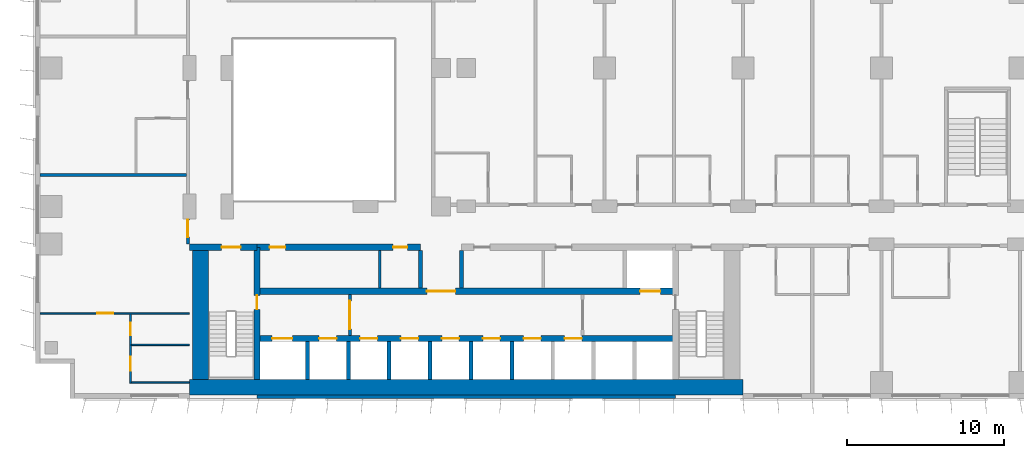
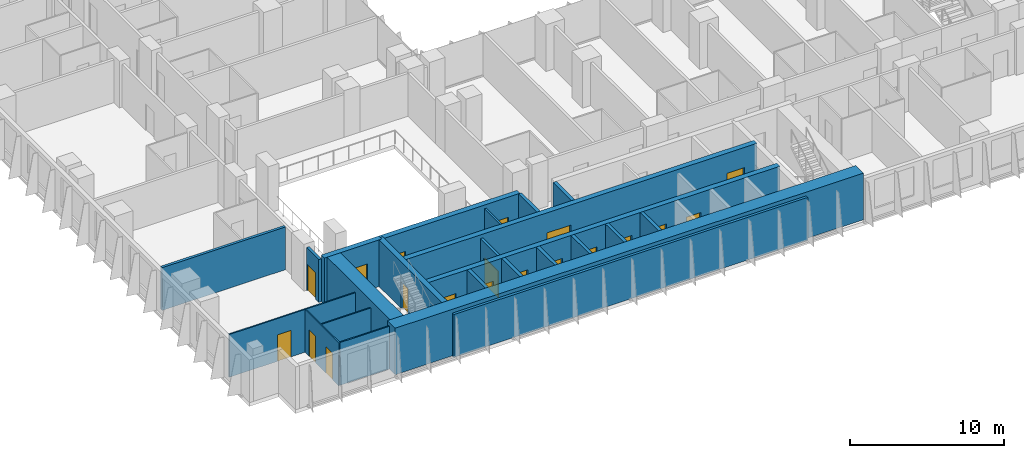
# One storey, part 12 of 24: 24 walls, 19 doors, 19 openings.
"""IFC4 building model written with IfcOpenShell, lengths in metres."""

from ifc_helpers import new_model, si_unit, direction, frame, frame_2d, origin, place, context, subcontext, project, spatial, rectangle, extrude, material, layer, layer_set, type_object, element, fill, save


model = new_model("IFC4")

# Units and contexts
model_context = context("Model", 3, precision=1e-05, world=origin(), true_north=direction((0.0, 1.0)))
body_context = subcontext(model_context, "Body", "Model", "MODEL_VIEW")
ifc_project = project(units=[si_unit("LENGTHUNIT", "METRE"), si_unit("AREAUNIT", "SQUARE_METRE"), si_unit("VOLUMEUNIT", "CUBIC_METRE"), si_unit("PLANEANGLEUNIT", "RADIAN"), si_unit("MASSUNIT", "GRAM", prefix="KILO")], contexts=[model_context])

# Site, building, storey
site_placement = place(None, origin())
site = spatial("IfcSite", under=ifc_project, at=site_placement, CompositionType="ELEMENT")
building_placement = place(site_placement, origin())
building = spatial("IfcBuilding", under=site, at=building_placement, Name="Kemantara Hotel Tower", CompositionType="ELEMENT")
storey_placement = place(building_placement, frame((0.0, 0.0, 37.699951171875)))
storey = spatial("IfcBuildingStorey", under=building, at=storey_placement, Name="L07", CompositionType="ELEMENT", Elevation=37.699951171875)

# Walls
ifc_material_1 = material(Name="Bronze anodised aluminium cladding on insulated steel stud wall", Category="steel")
ifc_layer_1 = layer(ifc_material_1, 0.199951171875)
ifc_layer_set_1 = layer_set([ifc_layer_1], Name="Bronze anodised aluminium cladding on insulated steel stud wall")
wall_type_1 = type_object("IfcWallType", Name="BRONZE METAL-CLAD EXTERNAL WALL 200", PredefinedType="STANDARD", material=ifc_layer_set_1)
wall_1_placement = place(storey_placement, frame((14.10009765625, 0.10009765625, 0.0), z_axis=(0.0, 0.0, 1.0), x_axis=(1.0, 0.0, 0.0)))
element("IfcWall", 1, at=wall_1_placement, inside=storey, type_object=wall_type_1, Name="EXTERNAL WALL L07 T1-R01-2", PredefinedType="STANDARD", context=body_context, shape_type="SweptSolid", body=[
    extrude(rectangle(XDim=26.599853515625, YDim=0.199951171875, at=frame_2d((13.2998046875, 0.0))), origin(), (0.0, 0.0, 1.0), 3.400146484375),
])
ifc_material_2 = material(Name="Concrete fc 70 MPa", Category="concrete")
ifc_layer_2 = layer(ifc_material_2, 1.0)
ifc_layer_set_2 = layer_set([ifc_layer_2], Name="Concrete fc 70 MPa")
wall_type_2 = type_object("IfcWallType", Name="CORE WALL 1000 FC70", PredefinedType="SHEAR", material=ifc_layer_set_2)
wall_2_placement = place(storey_placement, frame((9.800048828125, 0.699951171875, 0.0), z_axis=(0.0, 0.0, 1.0), x_axis=(1.0, 0.0, 0.0)))
element("IfcWall", 2, at=wall_2_placement, inside=storey, type_object=wall_type_2, Name="CORE WALL CW-S", PredefinedType="SHEAR", context=body_context, shape_type="SweptSolid", body=[
    extrude(rectangle(XDim=35.199951171875, YDim=1.0, at=frame_2d((17.60009765625, 0.0))), origin(), (0.0, 0.0, 1.0), 3.699951171875),
])
wall_3_placement = place(storey_placement, frame((10.5, 1.199951171875, 0.0), z_axis=(0.0, 0.0, 1.0), x_axis=(0.0, 1.0, 0.0)))
element("IfcWall", 3, at=wall_3_placement, inside=storey, type_object=wall_type_2, Name="CORE WALL CW-W", PredefinedType="SHEAR", context=body_context, shape_type="SweptSolid", body=[
    extrude(rectangle(XDim=8.60009765625, YDim=1.0, at=frame_2d((4.300048828125, 0.0))), origin(), (0.0, 0.0, 1.0), 3.699951171875),
])
ifc_layer_3 = layer(ifc_material_2, 0.25)
ifc_layer_set_3 = layer_set([ifc_layer_3], Name="Concrete fc 70 MPa")
wall_type_3 = type_object("IfcWallType", Name="CORE WALL 250 FC70", PredefinedType="SHEAR", material=ifc_layer_set_3)
for number, where, z_axis, x_axis, name in (
    (4, (17.300048828125, 1.199951171875, 0.0), (0.0, 0.0, 1.0), (0.0, 1.0, 0.0), "CORE WALL CW-DS17.3"),
    (5, (19.89990234375, 1.199951171875, 0.0), (0.0, 0.0, 1.0), (0.0, 1.0, 0.0), "CORE WALL CW-DS19.9"),
    (6, (22.5, 1.199951171875, 0.0), (0.0, 0.0, 1.0), (0.0, 1.0, 0.0), "CORE WALL CW-DS22.5"),
    (7, (25.10009765625, 1.199951171875, 0.0), (0.0, 0.0, 1.0), (0.0, 1.0, 0.0), "CORE WALL CW-DS25.1"),
    (8, (27.699951171875, 1.199951171875, 0.0), (0.0, 0.0, 1.0), (0.0, 1.0, 0.0), "CORE WALL CW-DS27.7"),
    (9, (30.300048828125, 1.199951171875, 0.0), (0.0, 0.0, 1.0), (0.0, 1.0, 0.0), "CORE WALL CW-DS30.3"),
):
    element("IfcWall", number, at=place(storey_placement, frame(where, z_axis=z_axis, x_axis=x_axis)), inside=storey, type_object=wall_type_3, Name=name, PredefinedType="SHEAR", context=body_context, shape_type="SweptSolid", body=[
        extrude(rectangle(XDim=2.400146484375, YDim=0.25, at=frame_2d((1.2001953125, 0.0))), origin(), (0.0, 0.0, 1.0), 3.699951171875),
    ])
for number, where, z_axis, x_axis, name in (
    (10, (24.5, 7.0, 0.0), (0.0, 0.0, 1.0), (0.0, 1.0, 0.0), "CORE WALL CW-DN24.5"),
    (11, (27.10009765625, 7.0, 0.0), (0.0, 0.0, 1.0), (0.0, 1.0, 0.0), "CORE WALL CW-DN27.1"),
):
    element("IfcWall", number, at=place(storey_placement, frame(where, z_axis=z_axis, x_axis=x_axis)), inside=storey, type_object=wall_type_3, Name=name, PredefinedType="SHEAR", context=body_context, shape_type="SweptSolid", body=[
        extrude(rectangle(XDim=2.39990234375, YDim=0.25, at=frame_2d((1.199951171875, 0.0))), origin(), (0.0, 0.0, 1.0), 3.699951171875),
    ])

# Wall, opening, door
ifc_layer_4 = layer(ifc_material_2, 0.39990234375)
ifc_layer_set_4 = layer_set([ifc_layer_4], Name="Concrete fc 70 MPa")
wall_type_4 = type_object("IfcWallType", Name="CORE WALL 400 FC70", PredefinedType="SHEAR", material=ifc_layer_set_4)
wall_4_placement = place(storey_placement, frame((9.800048828125, 9.60009765625, 0.0), z_axis=(0.0, 0.0, 1.0), x_axis=(1.0, 0.0, 0.0)))
wall_4 = element("IfcWall", 12, at=wall_4_placement, inside=storey, type_object=wall_type_4, Name="CORE WALL CW-N1", PredefinedType="SHEAR", context=body_context, shape_type="SweptSolid", body=[
    extrude(rectangle(XDim=4.300048828125, YDim=0.39990234375, at=frame_2d((2.14990234375, 0.0))), origin(), (0.0, 0.0, 1.0), 3.699951171875),
])
opening_1_placement = place(wall_4_placement, frame((2.050048828125, 0.0, 0.0)))
opening_1 = element("IfcOpeningElement", 13, at=opening_1_placement, cuts=wall_4, Name="Opening C08-ST1-C", PredefinedType="OPENING", context=body_context, shape_type="SweptSolid", body=[
    extrude(rectangle(XDim=1.199951171875, YDim=2.10009765625, at=frame_2d((0.60009765625, 1.050048828125))), frame((0.0, 0.2099609375, 0.0), z_axis=(0.0, -1.0, 0.0), x_axis=(1.0, 0.0, 0.0)), (0.0, 0.0, 1.0), 0.419921875),
])
ifc_material_3 = material(Name="Steel fire door", Category="steel")
door_type_1 = type_object("IfcDoorType", Name="Fire door FD90 1200 x 2100", OperationType="NOTDEFINED", PredefinedType="DOOR", material=ifc_material_3)
door_1_placement = place(opening_1_placement, frame((1.199951171875, 0.0, 0.0), z_axis=(0.0, 0.0, 1.0), x_axis=(-1.0, 0.0, 0.0)))
door_1 = element("IfcDoor", 14, at=door_1_placement, inside=storey, type_object=door_type_1, Name="Stair ST1 door to corridor", OperationType="SINGLE_SWING_LEFT", OverallHeight=2.10009765625, OverallWidth=1.199951171875, PredefinedType="DOOR", context=body_context, shape_type="SweptSolid", body=[
    extrude(rectangle(XDim=1.199951171875, YDim=2.10009765625, at=frame_2d((0.60009765625, 1.050048828125))), frame((0.0, 0.02490234375, 0.0), z_axis=(0.0, -1.0, 0.0), x_axis=(1.0, 0.0, 0.0)), (0.0, 0.0, 1.0), 0.050048828125),
])
fill(opening_1, door_1)

# Wall, openings, doors
wall_5_placement = place(storey_placement, frame((14.10009765625, 9.60009765625, 0.0), z_axis=(0.0, 0.0, 1.0), x_axis=(1.0, 0.0, 0.0)))
wall_5 = element("IfcWall", 15, at=wall_5_placement, inside=storey, type_object=wall_type_4, Name="CORE WALL CW-NN1", PredefinedType="SHEAR", context=body_context, shape_type="SweptSolid", body=[
    extrude(rectangle(XDim=10.39990234375, YDim=0.39990234375, at=frame_2d((5.199951171875, 0.0))), origin(), (0.0, 0.0, 1.0), 3.699951171875),
])
opening_2_placement = place(wall_5_placement, frame((0.800048828125, 0.0, 0.0)))
opening_2 = element("IfcOpeningElement", 16, at=opening_2_placement, cuts=wall_5, Name="Opening C08-R-NW1", PredefinedType="OPENING", context=body_context, shape_type="SweptSolid", body=[
    extrude(rectangle(XDim=1.0, YDim=2.10009765625, at=frame_2d((0.5, 1.050048828125))), frame((0.0, 0.2099609375, 0.0), z_axis=(0.0, -1.0, 0.0), x_axis=(1.0, 0.0, 0.0)), (0.0, 0.0, 1.0), 0.419921875),
])
opening_3_placement = place(wall_5_placement, frame((8.64990234375, 0.0, 0.0)))
opening_3 = element("IfcOpeningElement", 17, at=opening_3_placement, cuts=wall_5, Name="Opening C08-R-NW2", PredefinedType="OPENING", context=body_context, shape_type="SweptSolid", body=[
    extrude(rectangle(XDim=0.89990234375, YDim=2.10009765625, at=frame_2d((0.449951171875, 1.050048828125))), frame((0.0, 0.2099609375, 0.0), z_axis=(0.0, -1.0, 0.0), x_axis=(1.0, 0.0, 0.0)), (0.0, 0.0, 1.0), 0.419921875),
])
door_type_2 = type_object("IfcDoorType", Name="Fire door FD30S 1000 x 2100", OperationType="NOTDEFINED", PredefinedType="DOOR", material=ifc_material_3)
door_2_placement = place(opening_2_placement, frame((1.0, 0.0, 0.0), z_axis=(0.0, 0.0, 1.0), x_axis=(-1.0, 0.0, 0.0)))
door_2 = element("IfcDoor", 18, at=door_2_placement, inside=storey, type_object=door_type_2, Name="Linen Store door", OperationType="SINGLE_SWING_RIGHT", OverallHeight=2.10009765625, OverallWidth=1.0, PredefinedType="DOOR", context=body_context, shape_type="SweptSolid", body=[
    extrude(rectangle(XDim=1.0, YDim=2.10009765625, at=frame_2d((0.5, 1.050048828125))), frame((0.0, 0.02490234375, 0.0), z_axis=(0.0, -1.0, 0.0), x_axis=(1.0, 0.0, 0.0)), (0.0, 0.0, 1.0), 0.050048828125),
])
fill(opening_2, door_2)
door_type_3 = type_object("IfcDoorType", Name="Fire door FD60 900 x 2100", OperationType="NOTDEFINED", PredefinedType="DOOR", material=ifc_material_3)
door_3_placement = place(opening_3_placement, frame((0.89990234375, 0.0, 0.0), z_axis=(0.0, 0.0, 1.0), x_axis=(-1.0, 0.0, 0.0)))
door_3 = element("IfcDoor", 19, at=door_3_placement, inside=storey, type_object=door_type_3, Name="It Equipment Room door", OperationType="SINGLE_SWING_LEFT", OverallHeight=2.10009765625, OverallWidth=0.89990234375, PredefinedType="DOOR", context=body_context, shape_type="SweptSolid", body=[
    extrude(rectangle(XDim=0.89990234375, YDim=2.10009765625, at=frame_2d((0.449951171875, 1.050048828125))), frame((0.0, 0.02490234375, 0.0), z_axis=(0.0, -1.0, 0.0), x_axis=(1.0, 0.0, 0.0)), (0.0, 0.0, 1.0), 0.050048828125),
])
fill(opening_3, door_3)

wall_6_placement = place(storey_placement, frame((14.10009765625, 3.800048828125, 0.0), z_axis=(0.0, 0.0, 1.0), x_axis=(1.0, 0.0, 0.0)))
wall_6 = element("IfcWall", 20, at=wall_6_placement, inside=storey, type_object=wall_type_4, Name="CORE WALL CW-L1", PredefinedType="SHEAR", context=body_context, shape_type="SweptSolid", body=[
    extrude(rectangle(XDim=26.599853515625, YDim=0.39990234375, at=frame_2d((13.2998046875, 0.0))), origin(), (0.0, 0.0, 1.0), 3.699951171875),
])
opening_4_placement = place(wall_6_placement, frame((0.949951171875, 0.0, 0.0)))
opening_4 = element("IfcOpeningElement", 21, at=opening_4_placement, cuts=wall_6, Name="Opening C08-LD-FF1", PredefinedType="OPENING", context=body_context, shape_type="SweptSolid", body=[
    extrude(rectangle(XDim=1.300048828125, YDim=2.10009765625, at=frame_2d((0.64990234375, 1.050048828125))), frame((0.0, 0.2099609375, 0.0), z_axis=(0.0, -1.0, 0.0), x_axis=(1.0, 0.0, 0.0)), (0.0, 0.0, 1.0), 0.419921875),
])
opening_5_placement = place(wall_6_placement, frame((3.949951171875, 0.0, 0.0)))
opening_5 = element("IfcOpeningElement", 22, at=opening_5_placement, cuts=wall_6, Name="Opening C08-LD-SV1", PredefinedType="OPENING", context=body_context, shape_type="SweptSolid", body=[
    extrude(rectangle(XDim=1.10009765625, YDim=2.10009765625, at=frame_2d((0.550048828125, 1.050048828125))), frame((0.0, 0.2099609375, 0.0), z_axis=(0.0, -1.0, 0.0), x_axis=(1.0, 0.0, 0.0)), (0.0, 0.0, 1.0), 0.419921875),
])
opening_6_placement = place(wall_6_placement, frame((6.550048828125, 0.0, 0.0)))
opening_6 = element("IfcOpeningElement", 23, at=opening_6_placement, cuts=wall_6, Name="Opening C08-LD-SV2", PredefinedType="OPENING", context=body_context, shape_type="SweptSolid", body=[
    extrude(rectangle(XDim=1.10009765625, YDim=2.10009765625, at=frame_2d((0.550048828125, 1.050048828125))), frame((0.0, 0.2099609375, 0.0), z_axis=(0.0, -1.0, 0.0), x_axis=(1.0, 0.0, 0.0)), (0.0, 0.0, 1.0), 0.419921875),
])
opening_7_placement = place(wall_6_placement, frame((9.14990234375, 0.0, 0.0)))
opening_7 = element("IfcOpeningElement", 24, at=opening_7_placement, cuts=wall_6, Name="Opening C08-LD-SV3", PredefinedType="OPENING", context=body_context, shape_type="SweptSolid", body=[
    extrude(rectangle(XDim=1.10009765625, YDim=2.10009765625, at=frame_2d((0.550048828125, 1.050048828125))), frame((0.0, 0.2099609375, 0.0), z_axis=(0.0, -1.0, 0.0), x_axis=(1.0, 0.0, 0.0)), (0.0, 0.0, 1.0), 0.419921875),
])
opening_8_placement = place(wall_6_placement, frame((11.75, 0.0, 0.0)))
opening_8 = element("IfcOpeningElement", 25, at=opening_8_placement, cuts=wall_6, Name="Opening C08-LD-LR1", PredefinedType="OPENING", context=body_context, shape_type="SweptSolid", body=[
    extrude(rectangle(XDim=1.10009765625, YDim=2.10009765625, at=frame_2d((0.550048828125, 1.050048828125))), frame((0.0, 0.2099609375, 0.0), z_axis=(0.0, -1.0, 0.0), x_axis=(1.0, 0.0, 0.0)), (0.0, 0.0, 1.0), 0.419921875),
])
opening_9_placement = place(wall_6_placement, frame((14.35009765625, 0.0, 0.0)))
opening_9 = element("IfcOpeningElement", 26, at=opening_9_placement, cuts=wall_6, Name="Opening C08-LD-LR2", PredefinedType="OPENING", context=body_context, shape_type="SweptSolid", body=[
    extrude(rectangle(XDim=1.10009765625, YDim=2.10009765625, at=frame_2d((0.550048828125, 1.050048828125))), frame((0.0, 0.2099609375, 0.0), z_axis=(0.0, -1.0, 0.0), x_axis=(1.0, 0.0, 0.0)), (0.0, 0.0, 1.0), 0.419921875),
])
opening_10_placement = place(wall_6_placement, frame((16.949951171875, 0.0, 0.0)))
opening_10 = element("IfcOpeningElement", 27, at=opening_10_placement, cuts=wall_6, Name="Opening C08-LD-LR3", PredefinedType="OPENING", context=body_context, shape_type="SweptSolid", body=[
    extrude(rectangle(XDim=1.10009765625, YDim=2.10009765625, at=frame_2d((0.550048828125, 1.050048828125))), frame((0.0, 0.2099609375, 0.0), z_axis=(0.0, -1.0, 0.0), x_axis=(1.0, 0.0, 0.0)), (0.0, 0.0, 1.0), 0.419921875),
])
opening_11_placement = place(wall_6_placement, frame((19.550048828125, 0.0, 0.0)))
opening_11 = element("IfcOpeningElement", 28, at=opening_11_placement, cuts=wall_6, Name="Opening C08-LD-LR4", PredefinedType="OPENING", context=body_context, shape_type="SweptSolid", body=[
    extrude(rectangle(XDim=1.10009765625, YDim=2.10009765625, at=frame_2d((0.550048828125, 1.050048828125))), frame((0.0, 0.2099609375, 0.0), z_axis=(0.0, -1.0, 0.0), x_axis=(1.0, 0.0, 0.0)), (0.0, 0.0, 1.0), 0.419921875),
])
ifc_material_4 = material(Name="Stainless steel lift door", Category="steel")
door_type_4 = type_object("IfcDoorType", Name="Lift landing door 1100 x 2100 FD60", OperationType="DOUBLE_DOOR_SLIDING", PredefinedType="DOOR", material=ifc_material_4)
door_4_placement = place(opening_5_placement, origin())
door_4 = element("IfcDoor", 29, at=door_4_placement, inside=storey, type_object=door_type_4, Name="Lift SV1 landing door", OperationType="DOUBLE_DOOR_SLIDING", OverallHeight=2.10009765625, OverallWidth=1.10009765625, PredefinedType="DOOR", context=body_context, shape_type="SweptSolid", body=[
    extrude(rectangle(XDim=1.10009765625, YDim=2.10009765625, at=frame_2d((0.550048828125, 1.050048828125))), frame((0.0, 0.02490234375, 0.0), z_axis=(0.0, -1.0, 0.0), x_axis=(1.0, 0.0, 0.0)), (0.0, 0.0, 1.0), 0.050048828125),
])
fill(opening_5, door_4)
door_5_placement = place(opening_6_placement, origin())
door_5 = element("IfcDoor", 30, at=door_5_placement, inside=storey, type_object=door_type_4, Name="Lift SV2 landing door", OperationType="DOUBLE_DOOR_SLIDING", OverallHeight=2.10009765625, OverallWidth=1.10009765625, PredefinedType="DOOR", context=body_context, shape_type="SweptSolid", body=[
    extrude(rectangle(XDim=1.10009765625, YDim=2.10009765625, at=frame_2d((0.550048828125, 1.050048828125))), frame((0.0, 0.02490234375, 0.0), z_axis=(0.0, -1.0, 0.0), x_axis=(1.0, 0.0, 0.0)), (0.0, 0.0, 1.0), 0.050048828125),
])
fill(opening_6, door_5)
door_6_placement = place(opening_7_placement, origin())
door_6 = element("IfcDoor", 31, at=door_6_placement, inside=storey, type_object=door_type_4, Name="Lift SV3 landing door", OperationType="DOUBLE_DOOR_SLIDING", OverallHeight=2.10009765625, OverallWidth=1.10009765625, PredefinedType="DOOR", context=body_context, shape_type="SweptSolid", body=[
    extrude(rectangle(XDim=1.10009765625, YDim=2.10009765625, at=frame_2d((0.550048828125, 1.050048828125))), frame((0.0, 0.02490234375, 0.0), z_axis=(0.0, -1.0, 0.0), x_axis=(1.0, 0.0, 0.0)), (0.0, 0.0, 1.0), 0.050048828125),
])
fill(opening_7, door_6)
door_7_placement = place(opening_8_placement, origin())
door_7 = element("IfcDoor", 32, at=door_7_placement, inside=storey, type_object=door_type_4, Name="Lift LR1 landing door", OperationType="DOUBLE_DOOR_SLIDING", OverallHeight=2.10009765625, OverallWidth=1.10009765625, PredefinedType="DOOR", context=body_context, shape_type="SweptSolid", body=[
    extrude(rectangle(XDim=1.10009765625, YDim=2.10009765625, at=frame_2d((0.550048828125, 1.050048828125))), frame((0.0, 0.02490234375, 0.0), z_axis=(0.0, -1.0, 0.0), x_axis=(1.0, 0.0, 0.0)), (0.0, 0.0, 1.0), 0.050048828125),
])
fill(opening_8, door_7)
door_8_placement = place(opening_9_placement, origin())
door_8 = element("IfcDoor", 33, at=door_8_placement, inside=storey, type_object=door_type_4, Name="Lift LR2 landing door", OperationType="DOUBLE_DOOR_SLIDING", OverallHeight=2.10009765625, OverallWidth=1.10009765625, PredefinedType="DOOR", context=body_context, shape_type="SweptSolid", body=[
    extrude(rectangle(XDim=1.10009765625, YDim=2.10009765625, at=frame_2d((0.550048828125, 1.050048828125))), frame((0.0, 0.02490234375, 0.0), z_axis=(0.0, -1.0, 0.0), x_axis=(1.0, 0.0, 0.0)), (0.0, 0.0, 1.0), 0.050048828125),
])
fill(opening_9, door_8)
door_9_placement = place(opening_10_placement, origin())
door_9 = element("IfcDoor", 34, at=door_9_placement, inside=storey, type_object=door_type_4, Name="Lift LR3 landing door", OperationType="DOUBLE_DOOR_SLIDING", OverallHeight=2.10009765625, OverallWidth=1.10009765625, PredefinedType="DOOR", context=body_context, shape_type="SweptSolid", body=[
    extrude(rectangle(XDim=1.10009765625, YDim=2.10009765625, at=frame_2d((0.550048828125, 1.050048828125))), frame((0.0, 0.02490234375, 0.0), z_axis=(0.0, -1.0, 0.0), x_axis=(1.0, 0.0, 0.0)), (0.0, 0.0, 1.0), 0.050048828125),
])
fill(opening_10, door_9)
door_10_placement = place(opening_11_placement, origin())
door_10 = element("IfcDoor", 35, at=door_10_placement, inside=storey, type_object=door_type_4, Name="Lift LR4 landing door", OperationType="DOUBLE_DOOR_SLIDING", OverallHeight=2.10009765625, OverallWidth=1.10009765625, PredefinedType="DOOR", context=body_context, shape_type="SweptSolid", body=[
    extrude(rectangle(XDim=1.10009765625, YDim=2.10009765625, at=frame_2d((0.550048828125, 1.050048828125))), frame((0.0, 0.02490234375, 0.0), z_axis=(0.0, -1.0, 0.0), x_axis=(1.0, 0.0, 0.0)), (0.0, 0.0, 1.0), 0.050048828125),
])
fill(opening_11, door_10)
door_type_5 = type_object("IfcDoorType", Name="Lift landing door 1300 x 2100 FD90", OperationType="DOUBLE_DOOR_SLIDING", PredefinedType="DOOR", material=ifc_material_4)
door_11_placement = place(opening_4_placement, origin())
door_11 = element("IfcDoor", 36, at=door_11_placement, inside=storey, type_object=door_type_5, Name="Lift FF1 landing door", OperationType="DOUBLE_DOOR_SLIDING", OverallHeight=2.10009765625, OverallWidth=1.300048828125, PredefinedType="DOOR", context=body_context, shape_type="SweptSolid", body=[
    extrude(rectangle(XDim=1.300048828125, YDim=2.10009765625, at=frame_2d((0.64990234375, 1.050048828125))), frame((0.0, 0.02490234375, 0.0), z_axis=(0.0, -1.0, 0.0), x_axis=(1.0, 0.0, 0.0)), (0.0, 0.0, 1.0), 0.050048828125),
])
fill(opening_4, door_11)

wall_7_placement = place(storey_placement, frame((14.10009765625, 6.800048828125, 0.0), z_axis=(0.0, 0.0, 1.0), x_axis=(1.0, 0.0, 0.0)))
wall_7 = element("IfcWall", 37, at=wall_7_placement, inside=storey, type_object=wall_type_4, Name="CORE WALL CW-L2", PredefinedType="SHEAR", context=body_context, shape_type="SweptSolid", body=[
    extrude(rectangle(XDim=26.599853515625, YDim=0.39990234375, at=frame_2d((13.2998046875, 0.0))), origin(), (0.0, 0.0, 1.0), 3.699951171875),
])
opening_12_placement = place(wall_7_placement, frame((10.800048828125, 0.0, 0.0)))
opening_12 = element("IfcOpeningElement", 38, at=opening_12_placement, cuts=wall_7, Name="Opening C08-VL", PredefinedType="OPENING", context=body_context, shape_type="SweptSolid", body=[
    extrude(rectangle(XDim=1.800048828125, YDim=2.10009765625, at=frame_2d((0.89990234375, 1.050048828125))), frame((0.0, 0.2099609375, 0.0), z_axis=(0.0, -1.0, 0.0), x_axis=(1.0, 0.0, 0.0)), (0.0, 0.0, 1.0), 0.419921875),
])
opening_13_placement = place(wall_7_placement, frame((24.35009765625, 0.0, 0.0)))
opening_13 = element("IfcOpeningElement", 39, at=opening_13_placement, cuts=wall_7, Name="Opening C08-LD-FF2", PredefinedType="OPENING", context=body_context, shape_type="SweptSolid", body=[
    extrude(rectangle(XDim=1.300048828125, YDim=2.10009765625, at=frame_2d((0.64990234375, 1.050048828125))), frame((0.0, 0.2099609375, 0.0), z_axis=(0.0, -1.0, 0.0), x_axis=(1.0, 0.0, 0.0)), (0.0, 0.0, 1.0), 0.419921875),
])
door_type_6 = type_object("IfcDoorType", Name="Fire door pair FD60 1800 x 2100", OperationType="DOUBLE_DOOR_SINGLE_SWING", PredefinedType="DOOR", material=ifc_material_3)
door_12_placement = place(opening_12_placement, frame((1.800048828125, 0.0, 0.0), z_axis=(0.0, 0.0, 1.0), x_axis=(-1.0, 0.0, 0.0)))
door_12 = element("IfcDoor", 40, at=door_12_placement, inside=storey, type_object=door_type_6, Name="Lift lobby entry door", OperationType="DOUBLE_DOOR_SINGLE_SWING", OverallHeight=2.10009765625, OverallWidth=1.800048828125, PredefinedType="DOOR", context=body_context, shape_type="SweptSolid", body=[
    extrude(rectangle(XDim=1.800048828125, YDim=2.10009765625, at=frame_2d((0.89990234375, 1.050048828125))), frame((0.0, 0.02490234375, 0.0), z_axis=(0.0, -1.0, 0.0), x_axis=(1.0, 0.0, 0.0)), (0.0, 0.0, 1.0), 0.050048828125),
])
fill(opening_12, door_12)
door_13_placement = place(opening_13_placement, origin())
door_13 = element("IfcDoor", 41, at=door_13_placement, inside=storey, type_object=door_type_5, Name="Lift FF2 landing door", OperationType="DOUBLE_DOOR_SLIDING", OverallHeight=2.10009765625, OverallWidth=1.300048828125, PredefinedType="DOOR", context=body_context, shape_type="SweptSolid", body=[
    extrude(rectangle(XDim=1.300048828125, YDim=2.10009765625, at=frame_2d((0.64990234375, 1.050048828125))), frame((0.0, 0.02490234375, 0.0), z_axis=(0.0, -1.0, 0.0), x_axis=(1.0, 0.0, 0.0)), (0.0, 0.0, 1.0), 0.050048828125),
])
fill(opening_13, door_13)

# Wall, opening, door
wall_8_placement = place(storey_placement, frame((14.10009765625, 1.199951171875, 0.0), z_axis=(0.0, 0.0, 1.0), x_axis=(0.0, 1.0, 0.0)))
wall_8 = element("IfcWall", 42, at=wall_8_placement, inside=storey, type_object=wall_type_4, Name="CORE WALL CW-ST1E", PredefinedType="SHEAR", context=body_context, shape_type="SweptSolid", body=[
    extrude(rectangle(XDim=8.400146484375, YDim=0.39990234375, at=frame_2d((4.2001953125, 0.0))), origin(), (0.0, 0.0, 1.0), 3.699951171875),
])
opening_14_placement = place(wall_8_placement, frame((4.449951171875, 0.0, 0.0)))
opening_14 = element("IfcOpeningElement", 43, at=opening_14_placement, cuts=wall_8, Name="Opening C08-ST1-F", PredefinedType="OPENING", context=body_context, shape_type="SweptSolid", body=[
    extrude(rectangle(XDim=0.89990234375, YDim=2.10009765625, at=frame_2d((0.449951171875, 1.050048828125))), frame((0.0, 0.2099609375, 0.0), z_axis=(0.0, -1.0, 0.0), x_axis=(1.0, 0.0, 0.0)), (0.0, 0.0, 1.0), 0.419921875),
])
door_type_7 = type_object("IfcDoorType", Name="Fire door FD90 900 x 2100", OperationType="NOTDEFINED", PredefinedType="DOOR", material=ifc_material_3)
door_14_placement = place(opening_14_placement, origin())
door_14 = element("IfcDoor", 44, at=door_14_placement, inside=storey, type_object=door_type_7, Name="Stair ST1 door to firefighting lobby", OperationType="SINGLE_SWING_RIGHT", OverallHeight=2.10009765625, OverallWidth=0.89990234375, PredefinedType="DOOR", context=body_context, shape_type="SweptSolid", body=[
    extrude(rectangle(XDim=0.89990234375, YDim=2.10009765625, at=frame_2d((0.449951171875, 1.050048828125))), frame((0.0, 0.02490234375, 0.0), z_axis=(0.0, -1.0, 0.0), x_axis=(1.0, 0.0, 0.0)), (0.0, 0.0, 1.0), 0.050048828125),
])
fill(opening_14, door_14)

ifc_material_5 = material(Name="Gypsum board partition, steel studs and mineral wool, 200 mm", Category="steel")
ifc_layer_5 = layer(ifc_material_5, 0.199951171875)
ifc_layer_set_5 = layer_set([ifc_layer_5], Name="Gypsum board partition, steel studs and mineral wool, 200 mm")
wall_type_5 = type_object("IfcWallType", Name="CORRIDOR WALL 200", PredefinedType="PARTITIONING", material=ifc_layer_set_5)
wall_9_placement = place(storey_placement, frame((9.699951171875, 9.800048828125, 0.0), z_axis=(0.0, 0.0, 1.0), x_axis=(0.0, 1.0, 0.0)))
wall_9 = element("IfcWall", 45, at=wall_9_placement, inside=storey, type_object=wall_type_5, Name="CORRIDOR WALL 200 030", PredefinedType="PARTITIONING", context=body_context, shape_type="SweptSolid", body=[
    extrude(rectangle(XDim=1.599853515625, YDim=0.199951171875, at=frame_2d((0.7998046875, 0.0))), origin(), (0.0, 0.0, 1.0), 3.400146484375),
])
opening_15_placement = place(wall_9_placement, frame((0.449951171875, 0.0, 0.0)))
opening_15 = element("IfcOpeningElement", 46, at=opening_15_placement, cuts=wall_9, Name="Opening F01-033", PredefinedType="OPENING", context=body_context, shape_type="SweptSolid", body=[
    extrude(rectangle(XDim=1.10009765625, YDim=2.10009765625, at=frame_2d((0.550048828125, 1.050048828125))), frame((0.0, 0.10986328125, 0.0), z_axis=(0.0, -1.0, 0.0), x_axis=(1.0, 0.0, 0.0)), (0.0, 0.0, 1.0), 0.219970703125),
])
ifc_material_6 = material(Name="Hardwood veneer door leaf with steel frame", Category="steel")
door_type_8 = type_object("IfcDoorType", Name="SUITE ENTRANCE DOOR 1100 X 2100 FD30S", OperationType="NOTDEFINED", PredefinedType="DOOR", material=ifc_material_6)
door_15_placement = place(opening_15_placement, origin())
door_15 = element("IfcDoor", 47, at=door_15_placement, inside=storey, type_object=door_type_8, Name="SUITE ENTRANCE DOOR F01-033", OperationType="SINGLE_SWING_RIGHT", OverallHeight=2.10009765625, OverallWidth=1.10009765625, PredefinedType="DOOR", context=body_context, shape_type="SweptSolid", body=[
    extrude(rectangle(XDim=1.10009765625, YDim=2.10009765625, at=frame_2d((0.550048828125, 1.050048828125))), frame((0.0, 0.02490234375, 0.0), z_axis=(0.0, -1.0, 0.0), x_axis=(1.0, 0.0, 0.0)), (0.0, 0.0, 1.0), 0.050048828125),
])
fill(opening_15, door_15)

# Walls
ifc_layer_6 = layer(ifc_material_5, 0.199951171875)
ifc_layer_set_6 = layer_set([ifc_layer_6], Name="Gypsum board partition, steel studs and mineral wool, 200 mm")
wall_type_6 = type_object("IfcWallType", Name="GUEST ROOM PARTY WALL 200", PredefinedType="PARTITIONING", material=ifc_layer_set_6)
wall_10_placement = place(storey_placement, frame((0.31005859375, 14.199951171875, 0.0), z_axis=(0.0, 0.0, 1.0), x_axis=(1.0, 0.0, 0.0)))
element("IfcWall", 48, at=wall_10_placement, inside=storey, type_object=wall_type_6, Name="GUEST ROOM PARTY WALL 200 039", PredefinedType="PARTITIONING", context=body_context, shape_type="SweptSolid", body=[
    extrude(rectangle(XDim=9.2900390625, YDim=0.199951171875, at=frame_2d((4.64501953125, 0.0))), origin(), (0.0, 0.0, 1.0), 3.400146484375),
])
ifc_material_7 = material(Name="Gypsum board partition")
ifc_layer_7 = layer(ifc_material_7, 0.14990234375)
ifc_layer_set_7 = layer_set([ifc_layer_7], Name="Gypsum board partition")
wall_type_7 = type_object("IfcWallType", Name="Gypsum board partition 150 mm", PredefinedType="PARTITIONING", material=ifc_layer_set_7)
wall_11_placement = place(storey_placement, frame((21.89990234375, 7.0, 0.0), z_axis=(0.0, 0.0, 1.0), x_axis=(0.0, 1.0, 0.0)))
element("IfcWall", 49, at=wall_11_placement, inside=storey, type_object=wall_type_7, Name="Core room partition", PredefinedType="PARTITIONING", context=body_context, shape_type="SweptSolid", body=[
    extrude(rectangle(XDim=2.39990234375, YDim=0.14990234375, at=frame_2d((1.199951171875, 0.0))), origin(), (0.0, 0.0, 1.0), 3.400146484375),
])

# Wall, opening, door
ifc_material_8 = material(Name="Gypsum board shaft wall")
ifc_layer_8 = layer(ifc_material_8, 0.199951171875)
ifc_layer_set_8 = layer_set([ifc_layer_8], Name="Gypsum board shaft wall")
wall_type_8 = type_object("IfcWallType", Name="Gypsum board shaft wall 200 mm", PredefinedType="PARTITIONING", material=ifc_layer_set_8)
wall_12_placement = place(storey_placement, frame((20.0, 4.0, 0.0), z_axis=(0.0, 0.0, 1.0), x_axis=(0.0, 1.0, 0.0)))
wall_12 = element("IfcWall", 50, at=wall_12_placement, inside=storey, type_object=wall_type_8, Name="Firefighting lobby partition west", PredefinedType="PARTITIONING", context=body_context, shape_type="SweptSolid", body=[
    extrude(rectangle(XDim=2.60009765625, YDim=0.199951171875, at=frame_2d((1.300048828125, 0.0))), origin(), (0.0, 0.0, 1.0), 3.400146484375),
])
opening_16_placement = place(wall_12_placement, frame((0.39990234375, 0.0, 0.0)))
opening_16 = element("IfcOpeningElement", 51, at=opening_16_placement, cuts=wall_12, Name="Opening C08-FFW", PredefinedType="OPENING", context=body_context, shape_type="SweptSolid", body=[
    extrude(rectangle(XDim=1.800048828125, YDim=2.10009765625, at=frame_2d((0.89990234375, 1.050048828125))), frame((0.0, 0.10986328125, 0.0), z_axis=(0.0, -1.0, 0.0), x_axis=(1.0, 0.0, 0.0)), (0.0, 0.0, 1.0), 0.219970703125),
])
door_16_placement = place(opening_16_placement, origin())
door_16 = element("IfcDoor", 52, at=door_16_placement, inside=storey, type_object=door_type_6, Name="Firefighting lobby door west", OperationType="DOUBLE_DOOR_SINGLE_SWING", OverallHeight=2.10009765625, OverallWidth=1.800048828125, PredefinedType="DOOR", context=body_context, shape_type="SweptSolid", body=[
    extrude(rectangle(XDim=1.800048828125, YDim=2.10009765625, at=frame_2d((0.89990234375, 1.050048828125))), frame((0.0, 0.02490234375, 0.0), z_axis=(0.0, -1.0, 0.0), x_axis=(1.0, 0.0, 0.0)), (0.0, 0.0, 1.0), 0.050048828125),
])
fill(opening_16, door_16)

# Wall, openings, doors
ifc_material_9 = material(Name="Gypsum board partition on steel studs, 100 mm", Category="steel")
ifc_layer_9 = layer(ifc_material_9, 0.10009765625)
ifc_layer_set_9 = layer_set([ifc_layer_9], Name="Gypsum board partition on steel studs, 100 mm")
wall_type_9 = type_object("IfcWallType", Name="ROOM PARTITION 100", PredefinedType="PARTITIONING", material=ifc_layer_set_9)
wall_13_placement = place(storey_placement, frame((6.050048828125, 5.35009765625, 0.0), z_axis=(0.0, 0.0, 1.0), x_axis=(0.0, -1.0, 0.0)))
wall_13 = element("IfcWall", 53, at=wall_13_placement, inside=storey, type_object=wall_type_9, Name="ROOM PARTITION 100 105", PredefinedType="PARTITIONING", context=body_context, shape_type="SweptSolid", body=[
    extrude(rectangle(XDim=4.400146484375, YDim=0.10009765625, at=frame_2d((2.2001953125, 0.0))), origin(), (0.0, 0.0, 1.0), 3.400146484375),
])
opening_17_placement = place(wall_13_placement, frame((2.699951171875, 0.0, 0.0)))
opening_17 = element("IfcOpeningElement", 54, at=opening_17_placement, cuts=wall_13, Name="Opening F01-035", PredefinedType="OPENING", context=body_context, shape_type="SweptSolid", body=[
    extrude(rectangle(XDim=0.89990234375, YDim=2.10009765625, at=frame_2d((0.449951171875, 1.050048828125))), frame((0.0, 0.06005859375, 0.0), z_axis=(0.0, -1.0, 0.0), x_axis=(1.0, 0.0, 0.0)), (0.0, 0.0, 1.0), 0.1201171875),
])
opening_18_placement = place(wall_13_placement, frame((0.550048828125, 0.0, 0.0)))
opening_18 = element("IfcOpeningElement", 55, at=opening_18_placement, cuts=wall_13, Name="Opening F01-036", PredefinedType="OPENING", context=body_context, shape_type="SweptSolid", body=[
    extrude(rectangle(XDim=0.800048828125, YDim=2.10009765625, at=frame_2d((0.39990234375, 1.050048828125))), frame((0.0, 0.06005859375, 0.0), z_axis=(0.0, -1.0, 0.0), x_axis=(1.0, 0.0, 0.0)), (0.0, 0.0, 1.0), 0.1201171875),
])
door_type_9 = type_object("IfcDoorType", Name="BATHROOM DOOR 900 X 2100", OperationType="NOTDEFINED", PredefinedType="DOOR", material=ifc_material_6)
door_17_placement = place(opening_17_placement, origin())
door_17 = element("IfcDoor", 56, at=door_17_placement, inside=storey, type_object=door_type_9, Name="BATHROOM DOOR F01-035", OperationType="SINGLE_SWING_LEFT", OverallHeight=2.10009765625, OverallWidth=0.89990234375, PredefinedType="DOOR", context=body_context, shape_type="SweptSolid", body=[
    extrude(rectangle(XDim=0.89990234375, YDim=2.10009765625, at=frame_2d((0.449951171875, 1.050048828125))), frame((0.0, 0.02490234375, 0.0), z_axis=(0.0, -1.0, 0.0), x_axis=(1.0, 0.0, 0.0)), (0.0, 0.0, 1.0), 0.050048828125),
])
fill(opening_17, door_17)
door_type_10 = type_object("IfcDoorType", Name="WARDROBE DOOR 800 X 2100", OperationType="NOTDEFINED", PredefinedType="DOOR", material=ifc_material_6)
door_18_placement = place(opening_18_placement, origin())
door_18 = element("IfcDoor", 57, at=door_18_placement, inside=storey, type_object=door_type_10, Name="WARDROBE DOOR F01-036", OperationType="SINGLE_SWING_LEFT", OverallHeight=2.10009765625, OverallWidth=0.800048828125, PredefinedType="DOOR", context=body_context, shape_type="SweptSolid", body=[
    extrude(rectangle(XDim=0.800048828125, YDim=2.10009765625, at=frame_2d((0.39990234375, 1.050048828125))), frame((0.0, 0.02490234375, 0.0), z_axis=(0.0, -1.0, 0.0), x_axis=(1.0, 0.0, 0.0)), (0.0, 0.0, 1.0), 0.050048828125),
])
fill(opening_18, door_18)

# Wall, opening, door
wall_14_placement = place(storey_placement, frame((9.7998046875, 5.39990234375, 0.0), z_axis=(0.0, 0.0, 1.0), x_axis=(-1.0, 0.0, 0.0)))
wall_14 = element("IfcWall", 58, at=wall_14_placement, inside=storey, type_object=wall_type_9, Name="ROOM PARTITION 100 107", PredefinedType="PARTITIONING", context=body_context, shape_type="SweptSolid", body=[
    extrude(rectangle(XDim=9.48974609375, YDim=0.10009765625, at=frame_2d((4.744873046875, 0.0))), origin(), (0.0, 0.0, 1.0), 3.400146484375),
])
opening_19_placement = place(wall_14_placement, frame((4.849853515625, 0.0, 0.0)))
opening_19 = element("IfcOpeningElement", 59, at=opening_19_placement, cuts=wall_14, Name="Opening F01-034", PredefinedType="OPENING", context=body_context, shape_type="SweptSolid", body=[
    extrude(rectangle(XDim=1.0, YDim=2.10009765625, at=frame_2d((0.5, 1.050048828125))), frame((0.0, 0.06005859375, 0.0), z_axis=(0.0, -1.0, 0.0), x_axis=(1.0, 0.0, 0.0)), (0.0, 0.0, 1.0), 0.1201171875),
])
door_type_11 = type_object("IfcDoorType", Name="INTERNAL DOOR 1000 X 2100", OperationType="NOTDEFINED", PredefinedType="DOOR", material=ifc_material_6)
door_19_placement = place(opening_19_placement, origin())
door_19 = element("IfcDoor", 60, at=door_19_placement, inside=storey, type_object=door_type_11, Name="INTERNAL DOOR F01-034", OperationType="SINGLE_SWING_LEFT", OverallHeight=2.10009765625, OverallWidth=1.0, PredefinedType="DOOR", context=body_context, shape_type="SweptSolid", body=[
    extrude(rectangle(XDim=1.0, YDim=2.10009765625, at=frame_2d((0.5, 1.050048828125))), frame((0.0, 0.02490234375, 0.0), z_axis=(0.0, -1.0, 0.0), x_axis=(1.0, 0.0, 0.0)), (0.0, 0.0, 1.0), 0.050048828125),
])
fill(opening_19, door_19)

# Walls
for number, where, z_axis, x_axis, name in (
    (61, (6.10009765625, 1.0, 0.0), (0.0, 0.0, 1.0), (1.0, 0.0, 0.0), "ROOM PARTITION 100 108"),
    (62, (6.10009765625, 3.39990234375, 0.0), (0.0, 0.0, 1.0), (1.0, 0.0, 0.0), "ROOM PARTITION 100 109"),
):
    element("IfcWall", number, at=place(storey_placement, frame(where, z_axis=z_axis, x_axis=x_axis)), inside=storey, type_object=wall_type_9, Name=name, PredefinedType="PARTITIONING", context=body_context, shape_type="SweptSolid", body=[
        extrude(rectangle(XDim=3.69970703125, YDim=0.10009765625, at=frame_2d((1.849853515625, 0.0))), origin(), (0.0, 0.0, 1.0), 3.400146484375),
    ])

save(model, "model.ifc")
